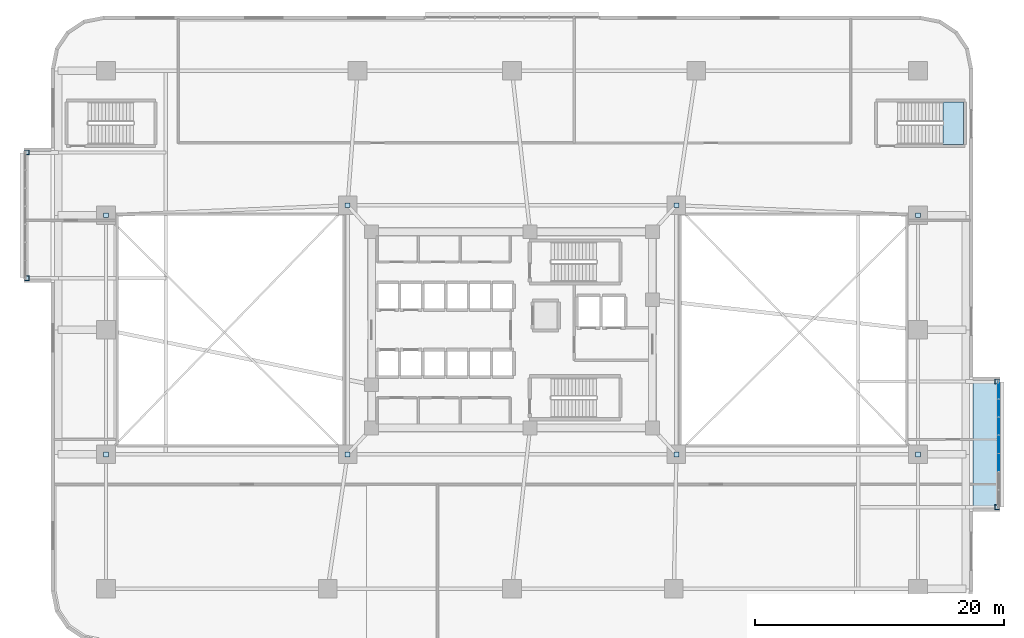
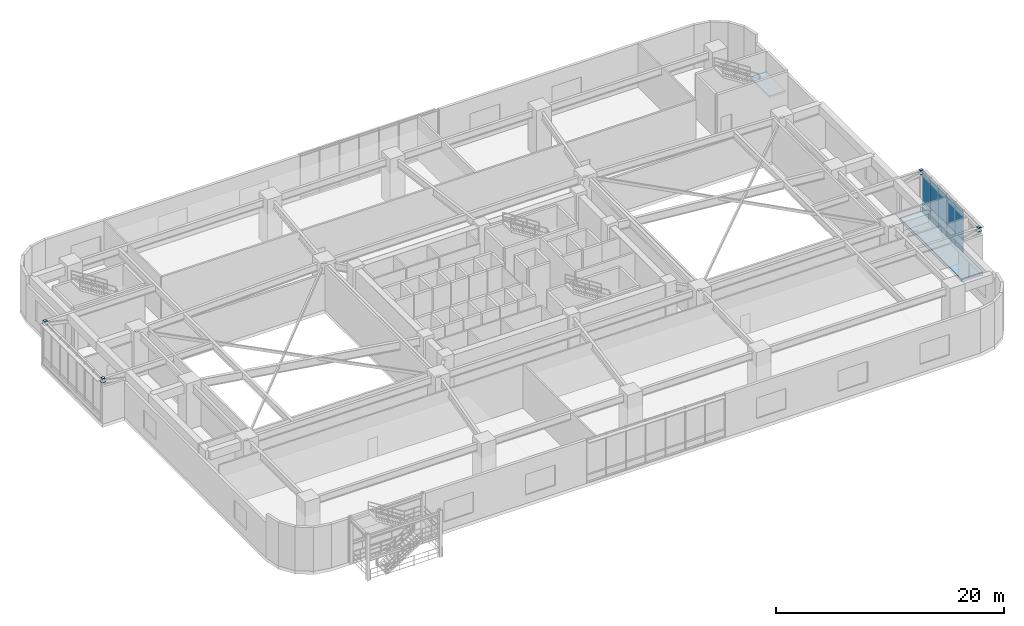
# One storey, part 14 of 24: 26 plates, 2 slabs, 2 elements without a shape of their own.
"""IFC4 building model written with IfcOpenShell, lengths in metres."""

from ifc_helpers import new_model, si_unit, direction, frame, origin, origin_2d, place, context, subcontext, project, spatial, polyline, rectangle, outline, extrude, material, layer, layer_set, type_object, element, aggregate, save


model = new_model("IFC4")

# Units and contexts
model_context = context("Model", 3, precision=1e-05, world=origin(), true_north=direction((0.0, 1.0)))
body_context = subcontext(model_context, "Body", "Model", "MODEL_VIEW")
ifc_project = project(units=[si_unit("LENGTHUNIT", "METRE"), si_unit("AREAUNIT", "SQUARE_METRE"), si_unit("VOLUMEUNIT", "CUBIC_METRE"), si_unit("PLANEANGLEUNIT", "RADIAN"), si_unit("MASSUNIT", "GRAM", prefix="KILO")], contexts=[model_context])

# Site, building, storey
site_placement = place(None, origin())
site = spatial("IfcSite", under=ifc_project, at=site_placement, CompositionType="ELEMENT")
building_placement = place(site_placement, origin())
building = spatial("IfcBuilding", under=site, at=building_placement, Name="Zulverin Broadcast Headquarters", CompositionType="ELEMENT")
storey_placement = place(building_placement, frame((0.0, 0.0, 5.0)))
storey = spatial("IfcBuildingStorey", under=building, at=storey_placement, Name="L01", CompositionType="ELEMENT", Elevation=5.0)

# Curtain wall, plates
ifc_material_1 = material(Name="Acoustic triple-glazed studio box curtain wall", Category="aluminium")
curtain_wall_type = type_object("IfcCurtainWallType", Name="CW-SBOX", PredefinedType="USERDEFINED", material=ifc_material_1)
curtain_wall_placement = place(storey_placement, origin())
curtain_wall = element("IfcCurtainWall", 1, at=curtain_wall_placement, inside=storey, type_object=curtain_wall_type, Name="L01 Unitised Curtain Wall CW-L01-SBOX_POD_LOWER_E1-F", ObjectType="UNITISED CURTAIN WALL", PredefinedType="USERDEFINED")
ifc_material_2 = material(Name="Low-E double-glazed pale-silver vision glass", Category="glass")
ifc_layer_1 = layer(ifc_material_2, 0.035888671875, Name="Low-E double-glazed pale-silver vision glass", Category="glass")
ifc_layer_set_1 = layer_set([ifc_layer_1], Name="Low-E double-glazed pale-silver vision glass")
plate_type_1 = type_object("IfcPlateType", Name="CW-PNL-GLZ", PredefinedType="CURTAIN_PANEL", material=ifc_layer_set_1)
plate_1_placement = place(storey_placement, frame((76.080078125, 14.548583984375, 0.9150390625), z_axis=(0.0, 0.0, 1.0), x_axis=(0.0, 1.0, 0.0)))
plate_1 = element("IfcPlate", 2, at=plate_1_placement, type_object=plate_type_1, Name="CW-L01-SBOX_POD_LOWER_E1-F Vision Panel 02", PredefinedType="CURTAIN_PANEL", context=body_context, shape_type="SweptSolid", body=[
    extrude(rectangle(XDim=1.411376953125, YDim=0.035888671875, at=origin_2d()), origin(), (0.0, 0.0, 1.0), 3.60498046875),
])
plate_2_placement = place(storey_placement, frame((76.080078125, 16.0, 0.9150390625), z_axis=(0.0, 0.0, 1.0), x_axis=(0.0, 1.0, 0.0)))
plate_2 = element("IfcPlate", 3, at=plate_2_placement, type_object=plate_type_1, Name="CW-L01-SBOX_POD_LOWER_E1-F Vision Panel 03", PredefinedType="CURTAIN_PANEL", context=body_context, shape_type="SweptSolid", body=[
    extrude(rectangle(XDim=1.411376953125, YDim=0.035888671875, at=origin_2d()), origin(), (0.0, 0.0, 1.0), 3.60498046875),
])
plate_3_placement = place(storey_placement, frame((76.080078125, 17.451416015625, 0.9150390625), z_axis=(0.0, 0.0, 1.0), x_axis=(0.0, 1.0, 0.0)))
plate_3 = element("IfcPlate", 4, at=plate_3_placement, type_object=plate_type_1, Name="CW-L01-SBOX_POD_LOWER_E1-F Vision Panel 04", PredefinedType="CURTAIN_PANEL", context=body_context, shape_type="SweptSolid", body=[
    extrude(rectangle(XDim=1.411376953125, YDim=0.035888671875, at=origin_2d()), origin(), (0.0, 0.0, 1.0), 3.60498046875),
])
plate_4_placement = place(storey_placement, frame((76.080078125, 18.90283203125, 0.9150390625), z_axis=(0.0, 0.0, 1.0), x_axis=(0.0, 1.0, 0.0)))
plate_4 = element("IfcPlate", 5, at=plate_4_placement, type_object=plate_type_1, Name="CW-L01-SBOX_POD_LOWER_E1-F Vision Panel 05", PredefinedType="CURTAIN_PANEL", context=body_context, shape_type="SweptSolid", body=[
    extrude(rectangle(XDim=1.411376953125, YDim=0.035888671875, at=origin_2d()), origin(), (0.0, 0.0, 1.0), 3.60498046875),
])
plate_5_placement = place(storey_placement, frame((76.080078125, 20.354248046875, 0.9150390625), z_axis=(0.0, 0.0, 1.0), x_axis=(0.0, 1.0, 0.0)))
plate_5 = element("IfcPlate", 6, at=plate_5_placement, type_object=plate_type_1, Name="CW-L01-SBOX_POD_LOWER_E1-F Vision Panel 06", PredefinedType="CURTAIN_PANEL", context=body_context, shape_type="SweptSolid", body=[
    extrude(rectangle(XDim=1.411376953125, YDim=0.035888671875, at=origin_2d()), origin(), (0.0, 0.0, 1.0), 3.60498046875),
])
ifc_material_3 = material(Name="Insulated brushed pale-aluminium spandrel cassette", Category="aluminium")
ifc_layer_2 = layer(ifc_material_3, 0.050048828125, Name="Insulated brushed pale-aluminium spandrel cassette", Category="aluminium")
ifc_layer_set_2 = layer_set([ifc_layer_2], Name="Insulated brushed pale-aluminium spandrel cassette")
plate_type_2 = type_object("IfcPlateType", Name="CW-PNL-SPN", PredefinedType="CURTAIN_PANEL", material=ifc_layer_set_2)
plate_6_placement = place(storey_placement, frame((76.080078125, 14.548583984375, 0.139892578125), z_axis=(0.0, 0.0, 1.0), x_axis=(0.0, 1.0, 0.0)))
plate_6 = element("IfcPlate", 7, at=plate_6_placement, type_object=plate_type_2, Name="CW-L01-SBOX_POD_LOWER_E1-F Spandrel Cassette 02", PredefinedType="CURTAIN_PANEL", context=body_context, shape_type="SweptSolid", body=[
    extrude(rectangle(XDim=1.411376953125, YDim=0.050048828125, at=origin_2d()), origin(), (0.0, 0.0, 1.0), 0.64501953125),
])
plate_7_placement = place(storey_placement, frame((76.080078125, 16.0, 0.139892578125), z_axis=(0.0, 0.0, 1.0), x_axis=(0.0, 1.0, 0.0)))
plate_7 = element("IfcPlate", 8, at=plate_7_placement, type_object=plate_type_2, Name="CW-L01-SBOX_POD_LOWER_E1-F Spandrel Cassette 03", PredefinedType="CURTAIN_PANEL", context=body_context, shape_type="SweptSolid", body=[
    extrude(rectangle(XDim=1.411376953125, YDim=0.050048828125, at=origin_2d()), origin(), (0.0, 0.0, 1.0), 0.64501953125),
])
plate_8_placement = place(storey_placement, frame((76.080078125, 17.451416015625, 0.139892578125), z_axis=(0.0, 0.0, 1.0), x_axis=(0.0, 1.0, 0.0)))
plate_8 = element("IfcPlate", 9, at=plate_8_placement, type_object=plate_type_2, Name="CW-L01-SBOX_POD_LOWER_E1-F Spandrel Cassette 04", PredefinedType="CURTAIN_PANEL", context=body_context, shape_type="SweptSolid", body=[
    extrude(rectangle(XDim=1.411376953125, YDim=0.050048828125, at=origin_2d()), origin(), (0.0, 0.0, 1.0), 0.64501953125),
])
plate_9_placement = place(storey_placement, frame((76.080078125, 18.90283203125, 0.139892578125), z_axis=(0.0, 0.0, 1.0), x_axis=(0.0, 1.0, 0.0)))
plate_9 = element("IfcPlate", 10, at=plate_9_placement, type_object=plate_type_2, Name="CW-L01-SBOX_POD_LOWER_E1-F Spandrel Cassette 05", PredefinedType="CURTAIN_PANEL", context=body_context, shape_type="SweptSolid", body=[
    extrude(rectangle(XDim=1.411376953125, YDim=0.050048828125, at=origin_2d()), origin(), (0.0, 0.0, 1.0), 0.64501953125),
])
plate_10_placement = place(storey_placement, frame((76.080078125, 20.354248046875, 0.139892578125), z_axis=(0.0, 0.0, 1.0), x_axis=(0.0, 1.0, 0.0)))
plate_10 = element("IfcPlate", 11, at=plate_10_placement, type_object=plate_type_2, Name="CW-L01-SBOX_POD_LOWER_E1-F Spandrel Cassette 06", PredefinedType="CURTAIN_PANEL", context=body_context, shape_type="SweptSolid", body=[
    extrude(rectangle(XDim=1.411376953125, YDim=0.050048828125, at=origin_2d()), origin(), (0.0, 0.0, 1.0), 0.64501953125),
])
aggregate(curtain_wall, [plate_6, plate_1, plate_7, plate_2, plate_8, plate_3, plate_9, plate_4, plate_10, plate_5])

# Plates
ifc_material_4 = material(Name="Structural steel S355JR", Category="steel")
ifc_layer_3 = layer(ifc_material_4, 0.02490234375, Name="Structural steel S355JR", Category="steel")
ifc_layer_set_3 = layer_set([ifc_layer_3], Name="Structural steel S355JR")
plate_type_3 = type_object("IfcPlateType", Name="PLT-NODE-SBN1", PredefinedType="SHEET", material=ifc_layer_set_3)
plate_11_placement = place(storey_placement, frame((75.949951171875, 10.949951171875, 4.657470703125), z_axis=(0.0, 0.0, 1.0), x_axis=(1.0, 0.0, 0.0)))
element("IfcPlate", 12, at=plate_11_placement, inside=storey, type_object=plate_type_3, Name="SBN-1 Studio Box Post End Cap Plate L01-SBOX_POD_LOWER_E1-1", PredefinedType="SHEET", context=body_context, shape_type="SweptSolid", body=[
    extrude(rectangle(XDim=0.300048828125, YDim=0.300048828125, at=origin_2d()), origin(), (0.0, 0.0, 1.0), 0.02490234375),
])
plate_12_placement = place(storey_placement, frame((75.949951171875, 10.949951171875, 4.297607421875), z_axis=(0.0, 0.0, 1.0), x_axis=(1.0, 0.0, 0.0)))
element("IfcPlate", 13, at=plate_12_placement, inside=storey, type_object=plate_type_3, Name="SBN-1 Studio Box Node Gusset Plate L01-SBOX_POD_LOWER_E1-1", PredefinedType="SHEET", context=body_context, shape_type="SweptSolid", body=[
    extrude(rectangle(XDim=0.419921875, YDim=0.419921875, at=origin_2d()), origin(), (0.0, 0.0, 1.0), 0.02490234375),
])
plate_13_placement = place(storey_placement, frame((75.949951171875, 21.050048828125, 4.657470703125), z_axis=(0.0, 0.0, 1.0), x_axis=(1.0, 0.0, 0.0)))
element("IfcPlate", 14, at=plate_13_placement, inside=storey, type_object=plate_type_3, Name="SBN-1 Studio Box Post End Cap Plate L01-SBOX_POD_LOWER_E1-2", PredefinedType="SHEET", context=body_context, shape_type="SweptSolid", body=[
    extrude(rectangle(XDim=0.300048828125, YDim=0.300048828125, at=origin_2d()), origin(), (0.0, 0.0, 1.0), 0.02490234375),
])
plate_14_placement = place(storey_placement, frame((75.949951171875, 21.050048828125, 4.297607421875), z_axis=(0.0, 0.0, 1.0), x_axis=(1.0, 0.0, 0.0)))
element("IfcPlate", 15, at=plate_14_placement, inside=storey, type_object=plate_type_3, Name="SBN-1 Studio Box Node Gusset Plate L01-SBOX_POD_LOWER_E1-2", PredefinedType="SHEET", context=body_context, shape_type="SweptSolid", body=[
    extrude(rectangle(XDim=0.419921875, YDim=0.419921875, at=origin_2d()), origin(), (0.0, 0.0, 1.0), 0.02490234375),
])
plate_15_placement = place(storey_placement, frame((-1.949951171875, 29.35009765625, 4.657470703125), z_axis=(0.0, 0.0, 1.0), x_axis=(1.0, 0.0, 0.0)))
element("IfcPlate", 16, at=plate_15_placement, inside=storey, type_object=plate_type_3, Name="SBN-1 Studio Box Post End Cap Plate L01-SBOX_POD_LOWER_W1-1", PredefinedType="SHEET", context=body_context, shape_type="SweptSolid", body=[
    extrude(rectangle(XDim=0.300048828125, YDim=0.300048828125, at=origin_2d()), origin(), (0.0, 0.0, 1.0), 0.02490234375),
])
plate_16_placement = place(storey_placement, frame((-1.949951171875, 29.35009765625, 4.297607421875), z_axis=(0.0, 0.0, 1.0), x_axis=(1.0, 0.0, 0.0)))
element("IfcPlate", 17, at=plate_16_placement, inside=storey, type_object=plate_type_3, Name="SBN-1 Studio Box Node Gusset Plate L01-SBOX_POD_LOWER_W1-1", PredefinedType="SHEET", context=body_context, shape_type="SweptSolid", body=[
    extrude(rectangle(XDim=0.419921875, YDim=0.419921875, at=origin_2d()), origin(), (0.0, 0.0, 1.0), 0.02490234375),
])
plate_17_placement = place(storey_placement, frame((-1.949951171875, 39.449951171875, 4.657470703125), z_axis=(0.0, 0.0, 1.0), x_axis=(1.0, 0.0, 0.0)))
element("IfcPlate", 18, at=plate_17_placement, inside=storey, type_object=plate_type_3, Name="SBN-1 Studio Box Post End Cap Plate L01-SBOX_POD_LOWER_W1-2", PredefinedType="SHEET", context=body_context, shape_type="SweptSolid", body=[
    extrude(rectangle(XDim=0.300048828125, YDim=0.300048828125, at=origin_2d()), origin(), (0.0, 0.0, 1.0), 0.02490234375),
])
plate_18_placement = place(storey_placement, frame((-1.949951171875, 39.449951171875, 4.297607421875), z_axis=(0.0, 0.0, 1.0), x_axis=(1.0, 0.0, 0.0)))
element("IfcPlate", 19, at=plate_18_placement, inside=storey, type_object=plate_type_3, Name="SBN-1 Studio Box Node Gusset Plate L01-SBOX_POD_LOWER_W1-2", PredefinedType="SHEET", context=body_context, shape_type="SweptSolid", body=[
    extrude(rectangle(XDim=0.419921875, YDim=0.419921875, at=origin_2d()), origin(), (0.0, 0.0, 1.0), 0.02490234375),
])
ifc_layer_4 = layer(ifc_material_4, 0.030029296875, Name="Structural steel S355JR", Category="steel")
ifc_layer_set_4 = layer_set([ifc_layer_4], Name="Structural steel S355JR")
plate_type_4 = type_object("IfcPlateType", Name="PLT-NODE-SBN2", PredefinedType="SHEET", material=ifc_layer_set_4)
for number, where, z_axis, x_axis, name in (
    (20, (4.39990234375, 15.199951171875, 4.39501953125), (0.0, 0.0, 1.0), (1.0, 0.0, 0.0), "SBN-2 Studio Strut Plate L01-1A"),
    (21, (23.800048828125, 35.199951171875, 4.39501953125), (0.0, 0.0, 1.0), (1.0, 0.0, 0.0), "SBN-2 Studio Strut Plate L01-1B"),
    (22, (4.39990234375, 34.39990234375, 4.39501953125), (0.0, 0.0, 1.0), (1.0, 0.0, 0.0), "SBN-2 Studio Strut Plate L01-2A"),
    (23, (23.800048828125, 15.199951171875, 4.39501953125), (0.0, 0.0, 1.0), (1.0, 0.0, 0.0), "SBN-2 Studio Strut Plate L01-2B"),
    (24, (69.60009765625, 15.199951171875, 4.39501953125), (0.0, 0.0, 1.0), (1.0, 0.0, 0.0), "SBN-2 Studio Strut Plate L01-3A"),
    (25, (50.199951171875, 35.199951171875, 4.39501953125), (0.0, 0.0, 1.0), (1.0, 0.0, 0.0), "SBN-2 Studio Strut Plate L01-3B"),
    (26, (69.60009765625, 34.39990234375, 4.39501953125), (0.0, 0.0, 1.0), (1.0, 0.0, 0.0), "SBN-2 Studio Strut Plate L01-4A"),
    (27, (50.199951171875, 15.199951171875, 4.39501953125), (0.0, 0.0, 1.0), (1.0, 0.0, 0.0), "SBN-2 Studio Strut Plate L01-4B"),
):
    element("IfcPlate", number, at=place(storey_placement, frame(where, z_axis=z_axis, x_axis=x_axis)), inside=storey, type_object=plate_type_4, Name=name, PredefinedType="SHEET", context=body_context, shape_type="SweptSolid", body=[
        extrude(rectangle(XDim=0.3798828125, YDim=0.3798828125, at=origin_2d()), origin(), (0.0, 0.0, 1.0), 0.030029296875),
    ])

# Slab
ifc_material_5 = material(Name="Concrete C40/50", Category="concrete")
ifc_layer_5 = layer(ifc_material_5, 0.340087890625, Name="Concrete C40/50", Category="concrete")
ifc_layer_set_5 = layer_set([ifc_layer_5], Name="Concrete C40/50")
slab_type_1 = type_object("IfcSlabType", Name="SLB-POD-340", PredefinedType="FLOOR", material=ifc_layer_set_5)
slab_1_placement = place(storey_placement, frame((0.0, 0.0, -0.340087890625)))
element("IfcSlab", 28, at=slab_1_placement, inside=storey, type_object=slab_type_1, Name="L01 Shifted Broadcast Studio Box Floor Slab SBOX_POD_LOWER_E1", PredefinedType="FLOOR", context=body_context, shape_type="SweptSolid", body=[
    extrude(outline(polyline([(74.0, 10.60009765625), (76.199951171875, 10.60009765625), (76.199951171875, 21.39990234375), (74.0, 21.39990234375), (74.0, 10.60009765625)])), origin(), (0.0, 0.0, 1.0), 0.340087890625),
])

# Stair, slab
stair_type = type_object("IfcStairType", Name="ST-POD-1600", PredefinedType="HALF_TURN_STAIR", material=ifc_material_5)
stair_placement = place(storey_placement, origin())
stair = element("IfcStair", 29, at=stair_placement, inside=storey, type_object=stair_type, Name="L01 Podium Exit Stair ST-4", PredefinedType="HALF_TURN_STAIR")
ifc_layer_6 = layer(ifc_material_5, 0.199951171875, Name="Concrete C40/50", Category="concrete")
ifc_layer_set_6 = layer_set([ifc_layer_6], Name="Concrete C40/50")
slab_type_2 = type_object("IfcSlabType", Name="SLB-ST-LND200", PredefinedType="LANDING", material=ifc_layer_set_6)
slab_2_placement = place(storey_placement, frame((0.0, 0.0, 2.300048828125)))
slab_2 = element("IfcSlab", 30, at=slab_2_placement, type_object=slab_type_2, Name="ST-4 landing 1", PredefinedType="LANDING", context=body_context, shape_type="SweptSolid", body=[
    extrude(outline(polyline([(71.610107421875, 40.10009765625), (73.25, 40.10009765625), (73.25, 43.5), (71.610107421875, 43.5), (71.610107421875, 40.10009765625)])), origin(), (0.0, 0.0, 1.0), 0.199951171875),
])
aggregate(stair, [slab_2])

save(model, "model.ifc")
